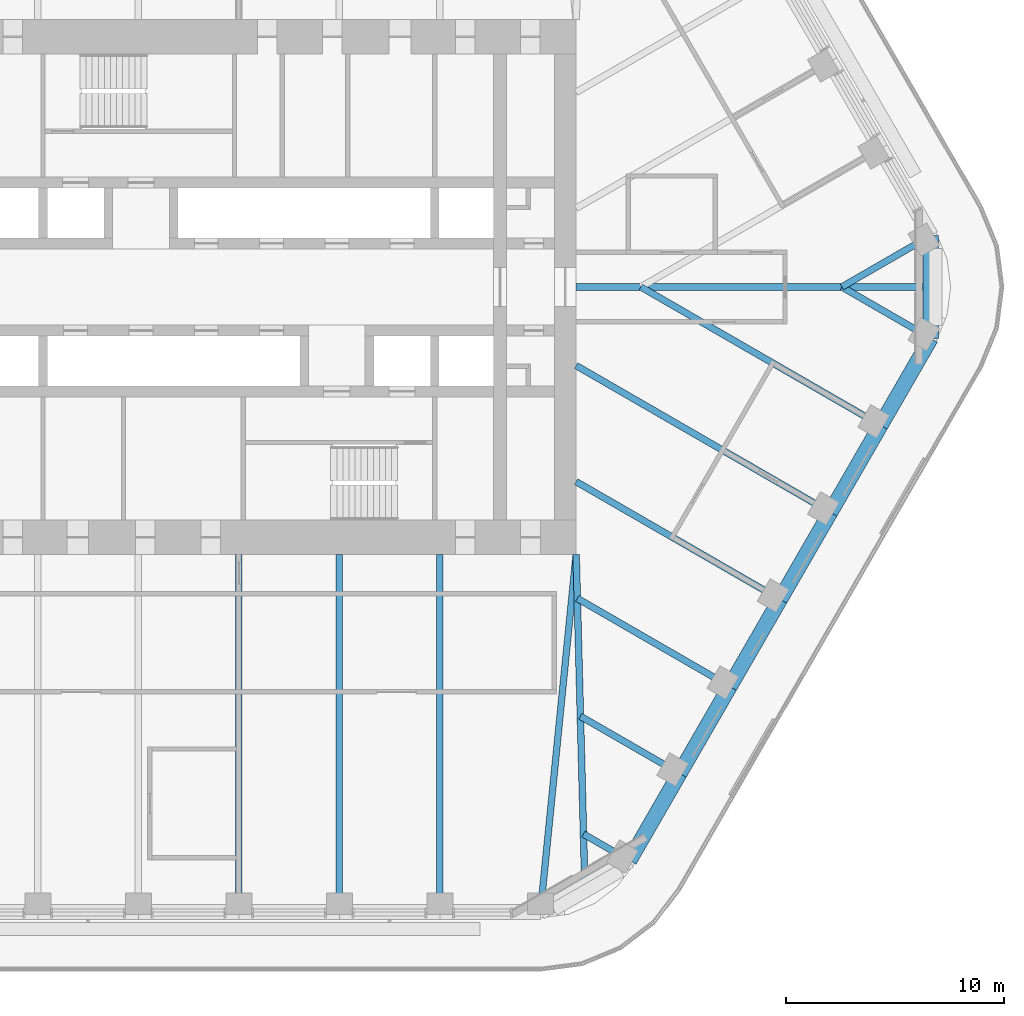
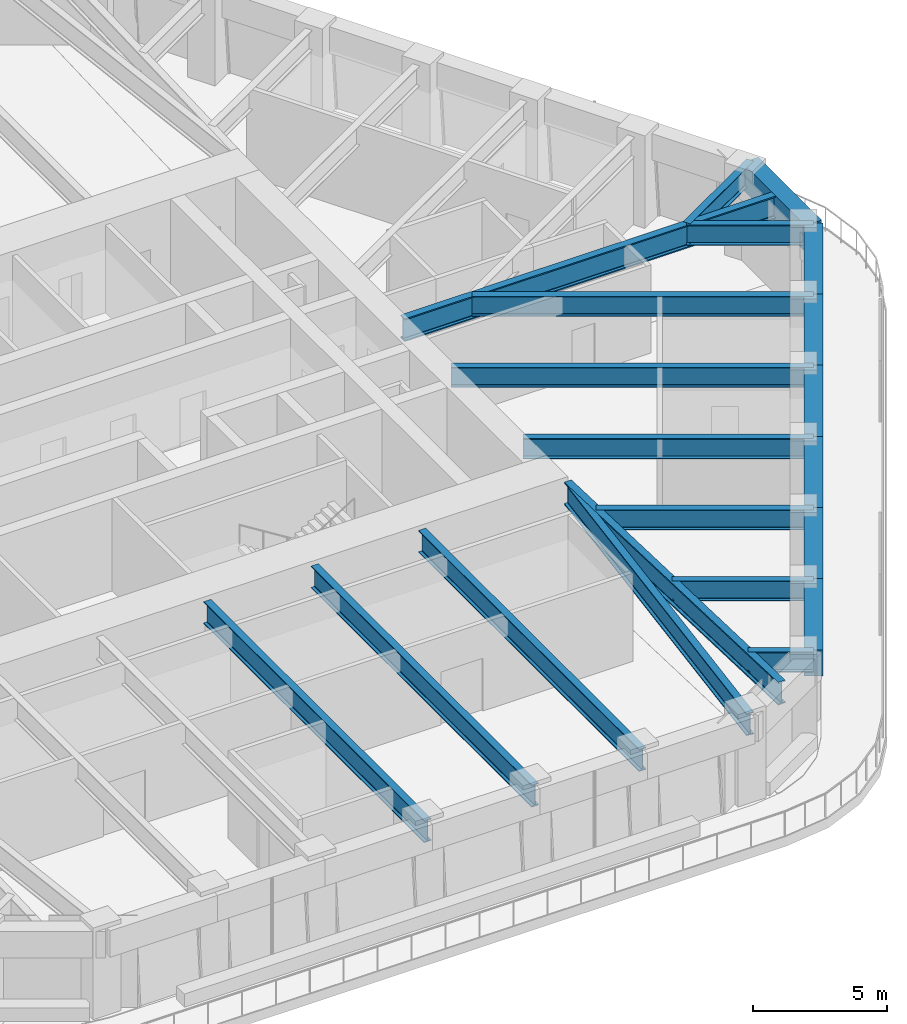
# One storey, part 5 of 20: 21 beams.
"""IFC4 building model written with IfcOpenShell, lengths in metres."""

from ifc_helpers import new_model, si_unit, direction, frame, origin, origin_2d, place, context, subcontext, project, spatial, rectangle, i_section, extrude, material, material_profile, profile_set, type_object, element, save


model = new_model("IFC4")

# Units and contexts
model_context = context("Model", 3, precision=1e-05, world=origin(), true_north=direction((0.0, 1.0)))
body_context = subcontext(model_context, "Body", "Model", "MODEL_VIEW")
ifc_project = project(units=[si_unit("LENGTHUNIT", "METRE"), si_unit("AREAUNIT", "SQUARE_METRE"), si_unit("VOLUMEUNIT", "CUBIC_METRE"), si_unit("PLANEANGLEUNIT", "RADIAN"), si_unit("MASSUNIT", "GRAM", prefix="KILO")], contexts=[model_context])

# Site, building, storey
site_placement = place(None, origin())
site = spatial("IfcSite", under=ifc_project, at=site_placement, CompositionType="ELEMENT")
building_placement = place(site_placement, origin())
building = spatial("IfcBuilding", under=site, at=building_placement, Name="Tarfa Lantern Tower", CompositionType="ELEMENT")
storey_placement = place(building_placement, frame((0.0, 0.0, 265.89990234375)))
storey = spatial("IfcBuildingStorey", under=building, at=storey_placement, Name="L60", CompositionType="ELEMENT", Elevation=265.89990234375)

# Beams
ifc_material_1 = material(Name="Concrete C80/95", Category="concrete")
ifc_material_profile_1 = material_profile(ifc_material_1, rectangle(XDim=0.699951171875, YDim=1.199951171875, at=origin_2d()), Name="RC 700x1200")
ifc_profile_set_1 = profile_set([ifc_material_profile_1], Name="Concrete C80/95")
beam_type_1 = type_object("IfcBeamType", Name="EB3 RC 700x1200", PredefinedType="SPANDREL", material=ifc_profile_set_1)
for number, where, z_axis, x_axis, name in (
    (1, (17.944091796875, -26.360107421875, 3.400146484375), (0.499987836815, 0.866032426089, 0.0), (-0.866032426089, 0.499987836815, 0.0), "Edge beam SE0"),
    (2, (20.25341796875, -22.360107421875, 3.400146484375), (0.499987836815, 0.866032426089, 0.0), (-0.866032426089, 0.499987836815, 0.0), "Edge beam SE1"),
):
    element("IfcBeam", number, at=place(storey_placement, frame(where, z_axis=z_axis, x_axis=x_axis)), inside=storey, type_object=beam_type_1, Name=name, PredefinedType="SPANDREL", context=body_context, shape_type="SweptSolid", body=[
        extrude(rectangle(XDim=0.699951171875, YDim=1.199951171875, at=origin_2d()), origin(), (0.0, 0.0, 1.0), 4.61865234375),
    ])
beam_1_placement = place(storey_placement, frame((22.562744140625, -18.360107421875, 3.400146484375), z_axis=(0.500027479704, 0.866009537788, 0.0), x_axis=(-0.866009537788, 0.500027479704, 0.0)))
element("IfcBeam", 3, at=beam_1_placement, inside=storey, type_object=beam_type_1, Name="Edge beam SE2", PredefinedType="SPANDREL", context=body_context, shape_type="SweptSolid", body=[
    extrude(rectangle(XDim=0.699951171875, YDim=1.199951171875, at=origin_2d()), origin(), (0.0, 0.0, 1.0), 4.618896484375),
])
for number, where, z_axis, x_axis, name in (
    (4, (24.872314453125, -14.360107421875, 3.400146484375), (0.499987836815, 0.866032426089, 0.0), (-0.866032426089, 0.499987836815, 0.0), "Edge beam SE3"),
    (5, (27.181640625, -10.360107421875, 3.400146484375), (0.499987836815, 0.866032426089, 0.0), (-0.866032426089, 0.499987836815, 0.0), "Edge beam SE4"),
):
    element("IfcBeam", number, at=place(storey_placement, frame(where, z_axis=z_axis, x_axis=x_axis)), inside=storey, type_object=beam_type_1, Name=name, PredefinedType="SPANDREL", context=body_context, shape_type="SweptSolid", body=[
        extrude(rectangle(XDim=0.699951171875, YDim=1.199951171875, at=origin_2d()), origin(), (0.0, 0.0, 1.0), 4.61865234375),
    ])
beam_2_placement = place(storey_placement, frame((29.490966796875, -6.360107421875, 3.400146484375), z_axis=(0.500027479704, 0.866009537788, 0.0), x_axis=(-0.866009537788, 0.500027479704, 0.0)))
element("IfcBeam", 6, at=beam_2_placement, inside=storey, type_object=beam_type_1, Name="Edge beam SE5", PredefinedType="SPANDREL", context=body_context, shape_type="SweptSolid", body=[
    extrude(rectangle(XDim=0.699951171875, YDim=1.199951171875, at=origin_2d()), origin(), (0.0, 0.0, 1.0), 4.618896484375),
])
beam_3_placement = place(storey_placement, frame((31.800537109375, -2.360107421875, 3.400146484375), z_axis=(0.0, 1.0, 0.0), x_axis=(-1.0, 0.0, 0.0)))
element("IfcBeam", 7, at=beam_3_placement, inside=storey, type_object=beam_type_1, Name="Edge beam SE6", PredefinedType="SPANDREL", context=body_context, shape_type="SweptSolid", body=[
    extrude(rectangle(XDim=0.699951171875, YDim=1.199951171875, at=origin_2d()), origin(), (0.0, 0.0, 1.0), 4.72021484375),
])
ifc_material_2 = material(Name="Steel S460M", Category="steel")
ifc_material_profile_2 = material_profile(ifc_material_2, i_section(OverallWidth=0.302001953125, OverallDepth=1.008056640625, WebThickness=0.02099609375, FlangeThickness=0.0400390625, FilletRadius=0.030029296875, at=origin_2d()), Name="UB1016x305x349")
ifc_profile_set_2 = profile_set([ifc_material_profile_2], Name="Steel S460M")
beam_type_2 = type_object("IfcBeamType", Name="UB1016x305x349", PredefinedType="BEAM", material=ifc_profile_set_2)
for number, where, z_axis, x_axis, name in (
    (8, (0.0, -28.719970703125, 3.49609375), (0.0, 1.0, 0.0), (-1.0, 0.0, 0.0), "Floor beam S3"),
    (9, (4.618896484375, -28.719970703125, 3.49609375), (0.0, 1.0, 0.0), (-1.0, 0.0, 0.0), "Floor beam S4"),
    (10, (9.237548828125, -28.719970703125, 3.49609375), (0.0, 1.0, 0.0), (-1.0, 0.0, 0.0), "Floor beam S5"),
):
    element("IfcBeam", number, at=place(storey_placement, frame(where, z_axis=z_axis, x_axis=x_axis)), inside=storey, type_object=beam_type_2, Name=name, PredefinedType="BEAM", context=body_context, shape_type="SweptSolid", body=[
        extrude(i_section(OverallWidth=0.302001953125, OverallDepth=1.008056640625, WebThickness=0.02099609375, FlangeThickness=0.0400390625, FilletRadius=0.030029296875, at=origin_2d()), origin(), (0.0, 0.0, 1.0), 16.419921875),
    ])
beam_4_placement = place(storey_placement, frame((13.8564453125, -28.719970703125, 3.49609375), z_axis=(0.099597466746, 0.995027810977, 0.0), x_axis=(-0.995027810977, 0.099597466746, 0.0)))
element("IfcBeam", 11, at=beam_4_placement, inside=storey, type_object=beam_type_2, Name="Floor beam S6", PredefinedType="BEAM", context=body_context, shape_type="SweptSolid", body=[
    extrude(i_section(OverallWidth=0.302001953125, OverallDepth=1.008056640625, WebThickness=0.02099609375, FlangeThickness=0.0400390625, FilletRadius=0.030029296875, at=origin_2d()), origin(), (0.0, 0.0, 1.0), 16.501953125),
])
ifc_material_profile_3 = material_profile(ifc_material_2, i_section(OverallWidth=0.30859375, OverallDepth=1.036376953125, WebThickness=0.030029296875, FlangeThickness=0.05419921875, FilletRadius=0.030029296875, at=origin_2d()), Name="UB1016x305x487")
ifc_profile_set_3 = profile_set([ifc_material_profile_3], Name="Steel S460M")
beam_type_3 = type_object("IfcBeamType", Name="UB1016x305x487", PredefinedType="BEAM", material=ifc_profile_set_3)
beam_5_placement = place(storey_placement, frame((15.5, 0.0, 3.48193359375), z_axis=(1.0, 0.0, 0.0), x_axis=(0.0, 1.0, 0.0)))
element("IfcBeam", 12, at=beam_5_placement, inside=storey, type_object=beam_type_3, Name="Hip girder E", PredefinedType="BEAM", context=body_context, shape_type="SweptSolid", body=[
    extrude(i_section(OverallWidth=0.30859375, OverallDepth=1.036376953125, WebThickness=0.030029296875, FlangeThickness=0.05419921875, FilletRadius=0.030029296875, at=origin_2d()), origin(), (0.0, 0.0, 1.0), 16.300537109375),
])
beam_6_placement = place(storey_placement, frame((15.5, -12.300048828125, 3.48193359375), z_axis=(0.026247301989, -0.999655480222, 0.0), x_axis=(0.999655480222, 0.026247301989, 0.0)))
element("IfcBeam", 13, at=beam_6_placement, inside=storey, type_object=beam_type_3, Name="Hip girder SE", PredefinedType="BEAM", context=body_context, shape_type="SweptSolid", body=[
    extrude(i_section(OverallWidth=0.30859375, OverallDepth=1.036376953125, WebThickness=0.030029296875, FlangeThickness=0.05419921875, FilletRadius=0.030029296875, at=origin_2d()), origin(), (0.0, 0.0, 1.0), 15.245361328125),
])
ifc_material_profile_4 = material_profile(ifc_material_2, i_section(OverallWidth=0.305419921875, OverallDepth=0.91845703125, WebThickness=0.017333984375, FlangeThickness=0.02783203125, FilletRadius=0.01904296875, at=origin_2d()), Name="UB914x305x253")
ifc_profile_set_4 = profile_set([ifc_material_profile_4], Name="Steel S460M")
beam_type_4 = type_object("IfcBeamType", Name="UB914x305x253", PredefinedType="BEAM", material=ifc_profile_set_4)
beam_7_placement = place(storey_placement, frame((31.800537109375, 2.360107421875, 3.541015625), z_axis=(-0.866015897305, -0.500016465344, 0.0), x_axis=(0.500016465344, -0.866015897305, 0.0)))
element("IfcBeam", 14, at=beam_7_placement, inside=storey, type_object=beam_type_4, Name="Floor beam NE0", PredefinedType="BEAM", context=body_context, shape_type="SweptSolid", body=[
    extrude(i_section(OverallWidth=0.305419921875, OverallDepth=0.91845703125, WebThickness=0.017333984375, FlangeThickness=0.02783203125, FilletRadius=0.01904296875, at=origin_2d()), origin(), (0.0, 0.0, 1.0), 4.719970703125),
])
beam_8_placement = place(storey_placement, frame((17.944091796875, -26.360107421875, 3.541015625), z_axis=(-0.865980009423, 0.5000786171, 0.0), x_axis=(-0.5000786171, -0.865980009423, 0.0)))
element("IfcBeam", 15, at=beam_8_placement, inside=storey, type_object=beam_type_4, Name="Floor beam SE0", PredefinedType="BEAM", context=body_context, shape_type="SweptSolid", body=[
    extrude(i_section(OverallWidth=0.305419921875, OverallDepth=0.91845703125, WebThickness=0.017333984375, FlangeThickness=0.02783203125, FilletRadius=0.01904296875, at=origin_2d()), origin(), (0.0, 0.0, 1.0), 2.4326171875),
])
beam_9_placement = place(storey_placement, frame((20.25341796875, -22.360107421875, 3.541015625), z_axis=(-0.86601951648, 0.500010196972, 0.0), x_axis=(-0.500010196972, -0.86601951648, 0.0)))
element("IfcBeam", 16, at=beam_9_placement, inside=storey, type_object=beam_type_4, Name="Floor beam SE1", PredefinedType="BEAM", context=body_context, shape_type="SweptSolid", body=[
    extrude(i_section(OverallWidth=0.305419921875, OverallDepth=0.91845703125, WebThickness=0.017333984375, FlangeThickness=0.02783203125, FilletRadius=0.01904296875, at=origin_2d()), origin(), (0.0, 0.0, 1.0), 5.263671875),
])
beam_10_placement = place(storey_placement, frame((22.562744140625, -18.360107421875, 3.541015625), z_axis=(-0.866010787764, 0.500025314835, 0.0), x_axis=(-0.500025314835, -0.866010787764, 0.0)))
element("IfcBeam", 17, at=beam_10_placement, inside=storey, type_object=beam_type_4, Name="Floor beam SE2", PredefinedType="BEAM", context=body_context, shape_type="SweptSolid", body=[
    extrude(i_section(OverallWidth=0.305419921875, OverallDepth=0.91845703125, WebThickness=0.017333984375, FlangeThickness=0.02783203125, FilletRadius=0.01904296875, at=origin_2d()), origin(), (0.0, 0.0, 1.0), 8.09423828125),
])
beam_11_placement = place(storey_placement, frame((24.872314453125, -14.360107421875, 3.541015625), z_axis=(-0.8660244219, 0.500001700669, 0.0), x_axis=(-0.500001700669, -0.8660244219, 0.0)))
element("IfcBeam", 18, at=beam_11_placement, inside=storey, type_object=beam_type_4, Name="Floor beam SE3", PredefinedType="BEAM", context=body_context, shape_type="SweptSolid", body=[
    extrude(i_section(OverallWidth=0.305419921875, OverallDepth=0.91845703125, WebThickness=0.017333984375, FlangeThickness=0.02783203125, FilletRadius=0.01904296875, at=origin_2d()), origin(), (0.0, 0.0, 1.0), 10.822265625),
])
beam_12_placement = place(storey_placement, frame((27.181640625, -10.360107421875, 3.541015625), z_axis=(-0.866018002818, 0.500012818631, 0.0), x_axis=(-0.500012818631, -0.866018002818, 0.0)))
element("IfcBeam", 19, at=beam_12_placement, inside=storey, type_object=beam_type_4, Name="Floor beam SE4", PredefinedType="BEAM", context=body_context, shape_type="SweptSolid", body=[
    extrude(i_section(OverallWidth=0.305419921875, OverallDepth=0.91845703125, WebThickness=0.017333984375, FlangeThickness=0.02783203125, FilletRadius=0.01904296875, at=origin_2d()), origin(), (0.0, 0.0, 1.0), 13.489013671875),
])
beam_13_placement = place(storey_placement, frame((29.490966796875, -6.360107421875, 3.541015625), z_axis=(-0.866022258038, 0.500005448553, 0.0), x_axis=(-0.500005448553, -0.866022258038, 0.0)))
element("IfcBeam", 20, at=beam_13_placement, inside=storey, type_object=beam_type_4, Name="Floor beam SE5", PredefinedType="BEAM", context=body_context, shape_type="SweptSolid", body=[
    extrude(i_section(OverallWidth=0.305419921875, OverallDepth=0.91845703125, WebThickness=0.017333984375, FlangeThickness=0.02783203125, FilletRadius=0.01904296875, at=origin_2d()), origin(), (0.0, 0.0, 1.0), 12.719970703125),
])
beam_14_placement = place(storey_placement, frame((31.800537109375, -2.360107421875, 3.541015625), z_axis=(-0.866015897305, 0.500016465344, 0.0), x_axis=(-0.500016465344, -0.866015897305, 0.0)))
element("IfcBeam", 21, at=beam_14_placement, inside=storey, type_object=beam_type_4, Name="Floor beam SE6", PredefinedType="BEAM", context=body_context, shape_type="SweptSolid", body=[
    extrude(i_section(OverallWidth=0.305419921875, OverallDepth=0.91845703125, WebThickness=0.017333984375, FlangeThickness=0.02783203125, FilletRadius=0.01904296875, at=origin_2d()), origin(), (0.0, 0.0, 1.0), 4.719970703125),
])

save(model, "model.ifc")
